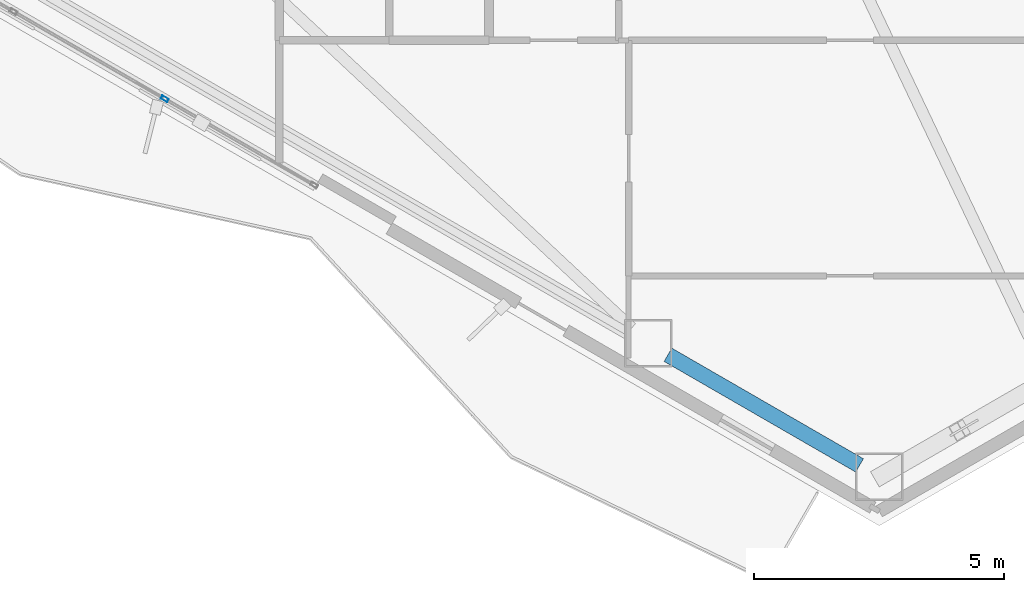
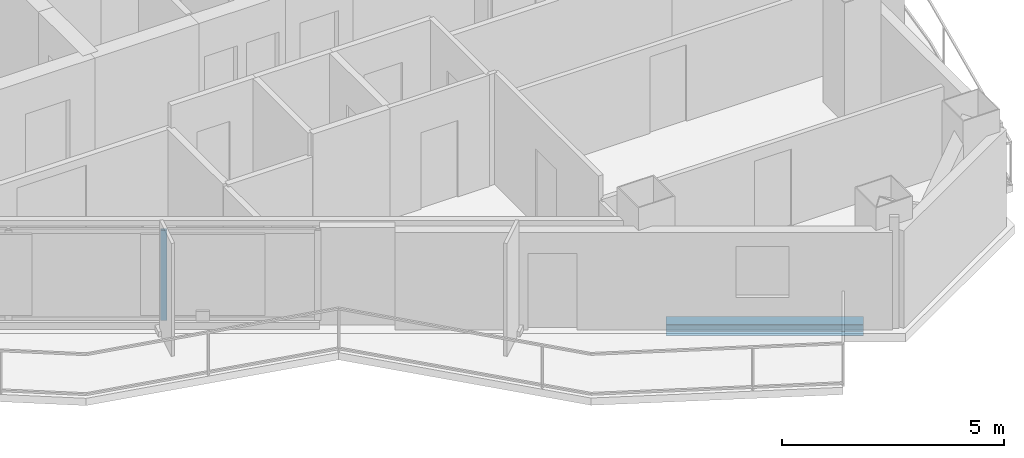
# One storey, part 3 of 19: 1 beam, 1 member, 1 element without a shape of its own.
"""IFC4 building model written with IfcOpenShell, lengths in metres."""

from ifc_helpers import new_model, si_unit, direction, frame, origin, origin_2d, place, context, subcontext, project, spatial, hollow_rectangle, i_section, extrude, material, layer, layer_set, material_profile, profile_set, type_object, element, aggregate, save


model = new_model("IFC4")

# Units and contexts
model_context = context("Model", 3, precision=1e-05, world=origin(), true_north=direction((0.0, 1.0)))
body_context = subcontext(model_context, "Body", "Model", "MODEL_VIEW")
ifc_project = project(units=[si_unit("LENGTHUNIT", "METRE"), si_unit("AREAUNIT", "SQUARE_METRE"), si_unit("VOLUMEUNIT", "CUBIC_METRE"), si_unit("PLANEANGLEUNIT", "RADIAN"), si_unit("MASSUNIT", "GRAM", prefix="KILO")], contexts=[model_context])

# Site, building, storey
site_placement = place(None, origin())
site = spatial("IfcSite", under=ifc_project, at=site_placement, CompositionType="ELEMENT")
building_placement = place(site_placement, origin())
building = spatial("IfcBuilding", under=site, at=building_placement, Name="Mersakhor Tower and Convention Hall", CompositionType="ELEMENT")
storey_placement = place(building_placement, frame((0.0, 0.0, 127.800048828125)))
storey = spatial("IfcBuildingStorey", under=building, at=storey_placement, Name="L35", CompositionType="ELEMENT", Elevation=127.800048828125)

# Beam
ifc_material_1 = material(Name="Steel S355", Category="steel")
ifc_material_profile_1 = material_profile(ifc_material_1, i_section(OverallWidth=0.30908203125, OverallDepth=0.320556640625, WebThickness=0.013916015625, FlangeThickness=0.021728515625, at=origin_2d()), Name="UC 305x305x137")
ifc_profile_set_1 = profile_set([ifc_material_profile_1], Name="Steel S355")
beam_type = type_object("IfcBeamType", Name="BM-SPD-UC305", PredefinedType="SPANDREL", material=ifc_profile_set_1)
beam_placement = place(storey_placement, frame((37.826416015625, 7.082763671875, -0.400390625), z_axis=(-0.866038875684, 0.49997666526, 0.0), x_axis=(-0.49997666526, -0.866038875684, 0.0)))
element("IfcBeam", 1, at=beam_placement, inside=storey, type_object=beam_type, Name="L35 Perimeter Spandrel Beam SPB-09", PredefinedType="SPANDREL", context=body_context, shape_type="SweptSolid", body=[
    extrude(i_section(OverallWidth=0.30908203125, OverallDepth=0.320556640625, WebThickness=0.013916015625, FlangeThickness=0.021728515625, at=origin_2d()), origin(), (0.0, 0.0, 1.0), 4.433837890625),
])

# Curtain wall, member
ifc_material_2 = material(Name="Dark solar low-E aluminium curtain wall", Category="aluminium")
ifc_layer = layer(ifc_material_2, 0.169921875)
ifc_layer_set = layer_set([ifc_layer], Name="Dark solar low-E aluminium curtain wall")
curtain_wall_type = type_object("IfcCurtainWallType", Name="CW-SYS-02", PredefinedType="USERDEFINED", material=ifc_layer_set)
curtain_wall_placement = place(storey_placement, origin())
curtain_wall = element("IfcCurtainWall", 2, at=curtain_wall_placement, inside=storey, type_object=curtain_wall_type, Name="L35 Dark-Glass Curtain Wall F3-B2", ObjectType="CURTAIN WALL", PredefinedType="USERDEFINED")
ifc_material_3 = material(Name="Anodised aluminium EN AW-6063 T6", Category="aluminium")
ifc_material_profile_2 = material_profile(ifc_material_3, hollow_rectangle(XDim=0.074951171875, YDim=0.14990234375, WallThickness=0.00634765625, at=origin_2d()), Name="RHS 150x75x6.3")
ifc_profile_set_2 = profile_set([ifc_material_profile_2], Name="Anodised aluminium EN AW-6063 T6")
member_type = type_object("IfcMemberType", Name="CWM-150x75", PredefinedType="MULLION", material=ifc_profile_set_2)
member_placement = place(storey_placement, frame((23.904052734375, 14.427978515625, 0.199951171875), z_axis=(0.0, 0.0, 1.0), x_axis=(-0.499990468363, -0.866030906807, 0.0)))
member = element("IfcMember", 3, at=member_placement, type_object=member_type, Name="CW-02 mullion 2", PredefinedType="MULLION", context=body_context, shape_type="SweptSolid", body=[
    extrude(hollow_rectangle(XDim=0.074951171875, YDim=0.14990234375, WallThickness=0.00634765625, at=origin_2d()), origin(), (0.0, 0.0, 1.0), 2.47998046875),
])
aggregate(curtain_wall, [member])

save(model, "model.ifc")
